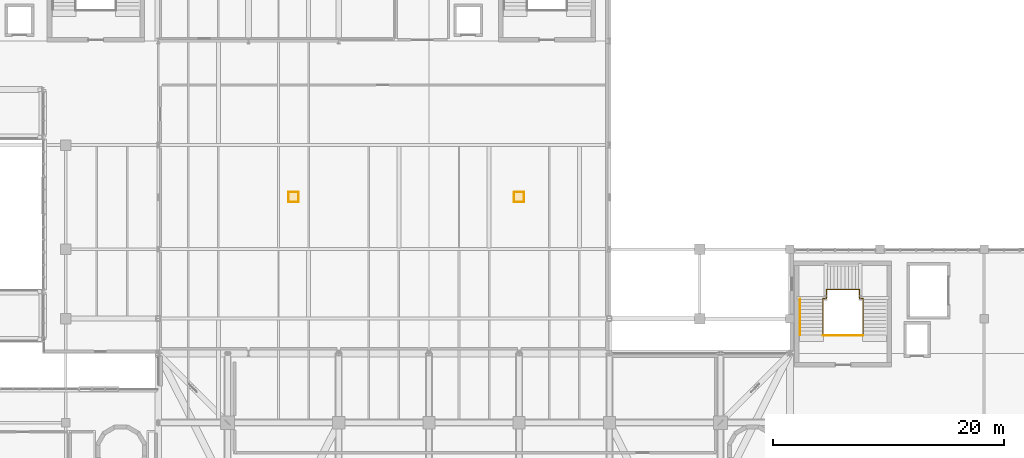
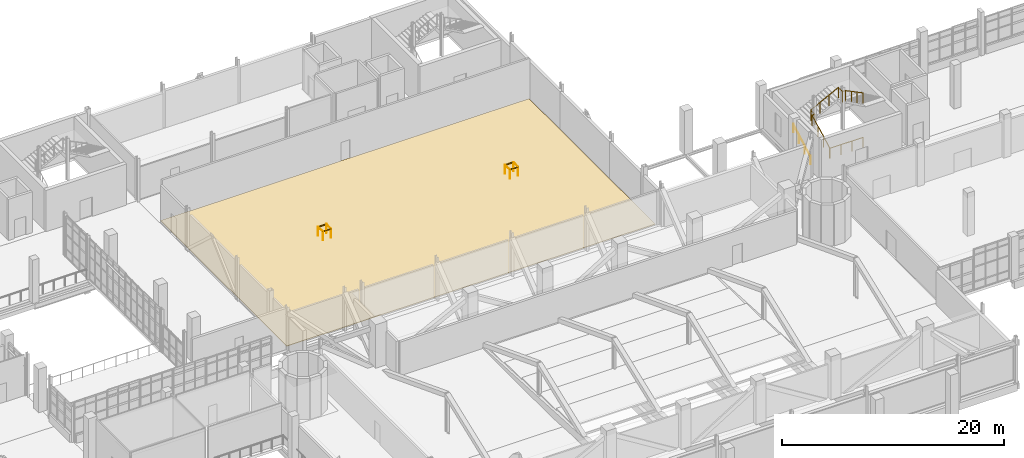
# One storey, part 125 of 127: 11 railings, 1 covering.
"""IFC4 building model written with IfcOpenShell, lengths in metres."""

import ifcopenshell
import ifcopenshell.guid

model = None  # the IFC model being written
_history = None  # IfcOwnerHistory: only IFC2X3 demands one
_inside = {}  # id of a spatial element -> (the spatial element, [elements in it])
_under = {}  # id of a project, library or spatial element -> (it, [spatial elements below it])
_declared = {}  # id of a project -> (the project, [libraries it declares])
_typed = {}  # id of a type object -> (the type object, [elements of that type])
_made_of = {}  # id of a material, layer set ... -> (it, [elements and type objects made of it])


def new_model(schema):
    """Start an empty IFC model of exactly this schema.

    Asked for "IFC4X3", IfcOpenShell would pick the latest addendum, in which some entities
    have other attributes; the version numbers below select the first issue.
    IFC2X3 requires an IfcOwnerHistory on every rooted entity: one is made here for all.
    """
    global model, _history
    if schema == "IFC4X3":
        model = ifcopenshell.file(schema_version=(4, 3, 0, 0))
    else:
        model = ifcopenshell.file(schema=schema)
    _inside.clear()
    _under.clear()
    _declared.clear()
    _typed.clear()
    _made_of.clear()
    _history = None
    if model.schema == "IFC2X3":
        org = make("IfcOrganization", Name="unknown")
        user = make(
            "IfcPersonAndOrganization",
            ThePerson=make("IfcPerson", FamilyName="unknown"),
            TheOrganization=org,
        )
        app = make(
            "IfcApplication",
            ApplicationDeveloper=org,
            Version="unknown",
            ApplicationFullName="unknown",
            ApplicationIdentifier="unknown",
        )
        _history = make(
            "IfcOwnerHistory",
            OwningUser=user,
            OwningApplication=app,
            ChangeAction="ADDED",
            CreationDate=0,
        )
    return model


def make(cls, **values):
    """One entity of the class cls with the attributes given. An attribute that is None is left unset."""
    return model.create_entity(
        cls, **{name: value for name, value in values.items() if value is not None}
    )


def rooted(cls, **values):
    """An entity with a GlobalId (a new one), such as an element, a storey or a relation."""
    return make(cls, GlobalId=ifcopenshell.guid.new(), OwnerHistory=_history, **values)


def si_unit(unit_type, name, prefix=None):
    """IfcSIUnit, for example si_unit("LENGTHUNIT", "METRE", prefix="MILLI")."""
    return make("IfcSIUnit", UnitType=unit_type, Prefix=prefix, Name=name)


def derived_unit(unit_type, elements):
    """IfcDerivedUnit: a product of units, each with its exponent."""
    return make(
        "IfcDerivedUnit",
        Elements=[
            make("IfcDerivedUnitElement", Unit=unit, Exponent=power)
            for unit, power in elements
        ],
        UnitType=unit_type,
    )


def assignment(units):
    """IfcUnitAssignment: the units of a project."""
    return None if units is None else make("IfcUnitAssignment", Units=units)


def point(xyz):
    """IfcCartesianPoint."""
    return None if xyz is None else make("IfcCartesianPoint", Coordinates=xyz)


def direction(xyz):
    """IfcDirection."""
    return None if xyz is None else make("IfcDirection", DirectionRatios=xyz)


def frame(location, z_axis=None, x_axis=None):
    """IfcAxis2Placement3D, a coordinate frame: its origin and axes. An axis left out is left unset."""
    return make(
        "IfcAxis2Placement3D",
        Location=point(location),
        Axis=direction(z_axis),
        RefDirection=direction(x_axis),
    )


def frame_2d(location, x_axis=None):
    """IfcAxis2Placement2D, a coordinate frame in the plane: its origin and x axis."""
    return make(
        "IfcAxis2Placement2D", Location=point(location), RefDirection=direction(x_axis)
    )


def origin():
    """The frame at (0, 0, 0) with its axes left unset."""
    return frame((0.0, 0.0, 0.0))


def origin_2d():
    """The frame at (0, 0) in the plane with its x axis left unset."""
    return frame_2d((0.0, 0.0))


def place(relative_to, where):
    """IfcLocalPlacement: puts the frame where relative to a parent placement (None: the world)."""
    return make(
        "IfcLocalPlacement", PlacementRelTo=relative_to, RelativePlacement=where
    )


def context(
    kind, dimensions, precision=None, world=None, true_north=None, identifier=None
):
    """IfcGeometricRepresentationContext, for example the 3D "Model" context."""
    return make(
        "IfcGeometricRepresentationContext",
        ContextIdentifier=identifier,
        ContextType=kind,
        CoordinateSpaceDimension=dimensions,
        Precision=precision,
        WorldCoordinateSystem=world,
        TrueNorth=true_north,
    )


def subcontext(parent, identifier, kind, view, scale=None):
    """IfcGeometricRepresentationSubContext, for example "Body" below "Model"."""
    return make(
        "IfcGeometricRepresentationSubContext",
        ContextIdentifier=identifier,
        ContextType=kind,
        ParentContext=parent,
        TargetScale=scale,
        TargetView=view,
    )


def project(units=None, contexts=None):
    """IfcProject with its units and contexts."""
    return rooted(
        "IfcProject",
        Name="project",
        RepresentationContexts=contexts,
        UnitsInContext=assignment(units),
    )


def spatial(cls, under=None, at=None, **own):
    """A site, building, storey or space (cls), placed at a placement, below another one or the project."""
    s = rooted(cls, ObjectPlacement=at, **own)
    if under is not None:
        _under.setdefault(under.id(), (under, []))[1].append(s)
    return s


def polyline(points):
    """IfcPolyline through the points."""
    return make("IfcPolyline", Points=[point(p) for p in points])


def profile(cls, at=None, kind="AREA", **sizes):
    """A parametric profile (cls). Its sizes go by their IFC names, for example OverallWidth=200.0."""
    return make(cls, ProfileType=kind, Position=at, **sizes)


def circle(**sizes):
    """IfcCircleProfileDef."""
    return profile("IfcCircleProfileDef", **sizes)


def outline(outer, holes=None, kind="AREA"):
    """IfcArbitraryClosedProfileDef: a profile drawn as a closed curve; with holes, ...WithVoids."""
    if holes is None:
        return make("IfcArbitraryClosedProfileDef", ProfileType=kind, OuterCurve=outer)
    return make(
        "IfcArbitraryProfileDefWithVoids",
        ProfileType=kind,
        OuterCurve=outer,
        InnerCurves=holes,
    )


def extrude(swept, where, along, depth):
    """IfcExtrudedAreaSolid: the profile swept, set in the frame where, extruded along a direction by depth."""
    return make(
        "IfcExtrudedAreaSolid",
        SweptArea=swept,
        Position=where,
        ExtrudedDirection=direction(along),
        Depth=depth,
    )


def shape(context_of_items, identifier, shape_type, items):
    """IfcShapeRepresentation: the items that make up one representation, for example the "Body"."""
    return make(
        "IfcShapeRepresentation",
        ContextOfItems=context_of_items,
        RepresentationIdentifier=identifier,
        RepresentationType=shape_type,
        Items=items,
    )


def material(Name=None, Category=None):
    """IfcMaterial."""
    return make("IfcMaterial", Name=Name, Category=Category)


def layer(
    of_material, thickness, ventilated=None, Name=None, Category=None, Priority=None
):
    """IfcMaterialLayer: one layer of a wall or slab, of a material (None: an air gap)."""
    return make(
        "IfcMaterialLayer",
        Material=of_material,
        LayerThickness=thickness,
        IsVentilated=ventilated,
        Name=Name,
        Category=Category,
        Priority=Priority,
    )


def layer_set(layers, Name=None):
    """IfcMaterialLayerSet."""
    return make("IfcMaterialLayerSet", MaterialLayers=layers, LayerSetName=Name)


def made_of(thing, what):
    """Note that an element or type object is made of a material, layer set ...; save() writes the relation."""
    if what is not None:
        _made_of.setdefault(what.id(), (what, []))[1].append(thing)
    return thing


def type_object(cls, material=None, **own):
    """A type object (cls), such as IfcWallType, which elements share."""
    return made_of(rooted(cls, **own), material)


def element(
    cls,
    number,
    at=None,
    inside=None,
    cuts=None,
    type_object=None,
    material=None,
    context=None,
    identifier="Body",
    shape_type=None,
    held_by="IfcProductDefinitionShape",
    body=None,
    shapes=None,
    **own,
):
    """One element of the class cls, such as IfcWall. Its Tag is "e" and its number.

    at: its placement. inside: the storey or other place that contains it. cuts: it is an
    opening in that element (IfcRelVoidsElement). A single representation is given by context,
    identifier, shape_type and body (its items); several are given by shapes. held_by: the class
    of the entity that holds the representations. save() writes the other relations.
    """
    e = rooted(cls, Tag="e%d" % number, ObjectPlacement=at, **own)
    if body is not None:
        shapes = [shape(context, identifier, shape_type, body)]
    if shapes is not None:
        e.Representation = make(held_by, Representations=shapes)
    if inside is not None:
        _inside.setdefault(inside.id(), (inside, []))[1].append(e)
    if cuts is not None:
        rooted(
            "IfcRelVoidsElement", RelatingBuildingElement=cuts, RelatedOpeningElement=e
        )
    if type_object is not None:
        _typed.setdefault(type_object.id(), (type_object, []))[1].append(e)
    return made_of(e, material)


def aggregate(whole, parts):
    """IfcRelAggregates: a whole, such as a stair, and the parts it consists of."""
    return rooted("IfcRelAggregates", RelatingObject=whole, RelatedObjects=parts)


def save(model, path):
    """Write the relations noted so far, then the file.

    IfcRelAggregates (storeys below a building ...), IfcRelContainedInSpatialStructure (elements
    in a storey), IfcRelDefinesByType, IfcRelAssociatesMaterial and IfcRelDeclares: one each for
    every whole, place, type object, material and project.
    """
    for whole, parts in _under.values():
        aggregate(whole, parts)
    for where, things in _inside.values():
        rooted(
            "IfcRelContainedInSpatialStructure",
            RelatedElements=things,
            RelatingStructure=where,
        )
    for kind, things in _typed.values():
        rooted("IfcRelDefinesByType", RelatedObjects=things, RelatingType=kind)
    for what, things in _made_of.values():
        rooted("IfcRelAssociatesMaterial", RelatedObjects=things, RelatingMaterial=what)
    for by, libraries in _declared.values():
        rooted("IfcRelDeclares", RelatingContext=by, RelatedDefinitions=libraries)
    model.write(path)


model = new_model("IFC4")

# Units and contexts
model_context = context("Model", 3, precision=1e-05, world=origin(), true_north=direction((0.0, 1.0)))
body_context = subcontext(model_context, "Body", "Model", "MODEL_VIEW")
ifc_project = project(units=[si_unit("LENGTHUNIT", "METRE"), si_unit("AREAUNIT", "SQUARE_METRE"), si_unit("VOLUMEUNIT", "CUBIC_METRE"), si_unit("PLANEANGLEUNIT", "RADIAN"), si_unit("MASSUNIT", "GRAM", prefix="KILO"), derived_unit("THERMALTRANSMITTANCEUNIT", [(si_unit("POWERUNIT", "WATT"), 1), (si_unit("LENGTHUNIT", "METRE"), -2), (si_unit("THERMODYNAMICTEMPERATUREUNIT", "KELVIN"), -1)])], contexts=[model_context])

# Site, building, storey
site_placement = place(None, origin())
site = spatial("IfcSite", under=ifc_project, at=site_placement, CompositionType="ELEMENT")
building_placement = place(site_placement, origin())
building = spatial("IfcBuilding", under=site, at=building_placement, Name="Nallur Shell Playhouse", CompositionType="ELEMENT")
storey_placement = place(building_placement, frame((0.0, 0.0, 5.39990234375)))
storey = spatial("IfcBuildingStorey", under=building, at=storey_placement, Name="L02", CompositionType="ELEMENT", Elevation=5.39990234375)

# Covering
ifc_material_1 = material(Name="Sprung Semi-Resilient Stage & Dance Hardwood Flooring", Category="wood")
ifc_layer = layer(ifc_material_1, 0.054931640625)
ifc_layer_set = layer_set([ifc_layer], Name="Sprung Semi-Resilient Stage & Dance Hardwood Flooring")
covering_type = type_object("IfcCoveringType", Name="CV-FLOR-TIMBER", PredefinedType="FLOORING", material=ifc_layer_set)
covering_placement = place(storey_placement, origin())
element("IfcCovering", 1, at=covering_placement, inside=storey, type_object=covering_type, Name="Stage Dimmer, Amplifier & Rack Room floor finish", PredefinedType="FLOORING", context=body_context, shape_type="SweptSolid", body=[
    extrude(outline(polyline([(102.60009765625, 70.199951171875), (102.60009765625, 47.39990234375), (64.199951171875, 47.39990234375), (64.199951171875, 70.199951171875), (102.60009765625, 70.199951171875)])), origin(), (0.0, 0.0, 1.0), 0.05517578125),
])

# Railings
ifc_material_2 = material(Name="Brushed Stainless Steel 316 Balustrade & Toughened Infill", Category="steel")
railing_type_1 = type_object("IfcRailingType", Name="RL-GUARD-1100", PredefinedType="BALUSTRADE", material=ifc_material_2)
railing_1_placement = place(storey_placement, frame((121.4599609375, 48.60009765625, 0.0)))
element("IfcRailing", 2, at=railing_1_placement, inside=storey, type_object=railing_type_1, Name="Stair ST-02-L02 inner open-well guard", PredefinedType="BALUSTRADE", context=body_context, shape_type="SweptSolid", body=[
    extrude(circle(Radius=0.02392578125, at=origin_2d()), frame((0.0, 0.0, 1.15576171875), z_axis=(0.0, 0.885200240898, 0.465210203579), x_axis=(-1.0, 0.0, 0.0)), (0.0, 0.0, 1.0), 3.547119140625),
    extrude(circle(Radius=0.02392578125, at=origin_2d()), frame((0.0, 3.139892578125, 2.80615234375), z_axis=(1.0, 0.0, 0.0), x_axis=(0.0, 1.0, 0.0)), (0.0, 0.0, 1.0), 0.304931640625),
    extrude(circle(Radius=0.02392578125, at=origin_2d()), frame((0.304931640625, 3.139892578125, 2.80615234375), z_axis=(0.0, 1.0, 0.0), x_axis=(-1.0, 0.0, 0.0)), (0.0, 0.0, 1.0), 0.760009765625),
    extrude(circle(Radius=0.02392578125, at=origin_2d()), frame((0.304931640625, 3.89990234375, 2.80615234375), z_axis=(0.886262018935, 0.0, 0.463184233101), x_axis=(0.0, 1.0, 0.0)), (0.0, 0.0, 1.0), 3.238525390625),
    extrude(circle(Radius=0.02392578125, at=origin_2d()), frame((3.175048828125, 3.89990234375, 4.30615234375), z_axis=(0.0, -1.0, 0.0), x_axis=(1.0, 0.0, 0.0)), (0.0, 0.0, 1.0), 0.760009765625),
    extrude(circle(Radius=0.02392578125, at=origin_2d()), frame((3.175048828125, 3.139892578125, 4.30615234375), z_axis=(1.0, 0.0, 0.0), x_axis=(0.0, 1.0, 0.0)), (0.0, 0.0, 1.0), 0.304931640625),
    extrude(circle(Radius=0.02392578125, at=origin_2d()), frame((3.47998046875, 3.139892578125, 4.30615234375), z_axis=(0.0, -0.885228583928, 0.465156268578), x_axis=(1.0, 0.0, 0.0)), (0.0, 0.0, 1.0), 3.546875),
    extrude(circle(Radius=0.02099609375, at=origin_2d()), origin(), (0.0, 0.0, 1.0), 1.1318359375),
    extrude(circle(Radius=0.02099609375, at=origin_2d()), frame((0.0, 1.046630859375, 0.550048828125)), (0.0, 0.0, 1.0), 1.1318359375),
    extrude(circle(Radius=0.02099609375, at=origin_2d()), frame((0.0, 2.09326171875, 1.10009765625)), (0.0, 0.0, 1.0), 1.1318359375),
    extrude(circle(Radius=0.02099609375, at=origin_2d()), frame((0.0, 3.139892578125, 1.650146484375)), (0.0, 0.0, 1.0), 1.1318359375),
    extrude(circle(Radius=0.02099609375, at=origin_2d()), frame((0.304931640625, 3.139892578125, 1.650146484375)), (0.0, 0.0, 1.0), 1.1318359375),
    extrude(circle(Radius=0.02099609375, at=origin_2d()), frame((0.304931640625, 3.89990234375, 1.650146484375)), (0.0, 0.0, 1.0), 1.1318359375),
    extrude(circle(Radius=0.02099609375, at=origin_2d()), frame((1.26171875, 3.89990234375, 2.150146484375)), (0.0, 0.0, 1.0), 1.1318359375),
    extrude(circle(Radius=0.02099609375, at=origin_2d()), frame((2.21826171875, 3.89990234375, 2.650146484375)), (0.0, 0.0, 1.0), 1.1318359375),
    extrude(circle(Radius=0.02099609375, at=origin_2d()), frame((3.175048828125, 3.89990234375, 3.150146484375)), (0.0, 0.0, 1.0), 1.1318359375),
    extrude(circle(Radius=0.02099609375, at=origin_2d()), frame((3.175048828125, 3.139892578125, 3.150146484375)), (0.0, 0.0, 1.0), 1.1318359375),
    extrude(circle(Radius=0.02099609375, at=origin_2d()), frame((3.47998046875, 3.139892578125, 3.150146484375)), (0.0, 0.0, 1.0), 1.1318359375),
    extrude(circle(Radius=0.02099609375, at=origin_2d()), frame((3.47998046875, 2.09326171875, 3.7001953125)), (0.0, 0.0, 1.0), 1.1318359375),
    extrude(circle(Radius=0.02099609375, at=origin_2d()), frame((3.47998046875, 1.046630859375, 4.25)), (0.0, 0.0, 1.0), 1.1318359375),
    extrude(circle(Radius=0.02099609375, at=origin_2d()), frame((3.47998046875, 0.0, 4.800048828125)), (0.0, 0.0, 1.0), 1.1318359375),
])
railing_2_placement = place(storey_placement, frame((121.4599609375, 48.5400390625, 0.0)))
element("IfcRailing", 3, at=railing_2_placement, inside=storey, type_object=railing_type_1, Name="Stair ST-02-L02 floor-well guard", PredefinedType="BALUSTRADE", context=body_context, shape_type="SweptSolid", body=[
    extrude(circle(Radius=0.02392578125, at=origin_2d()), frame((0.0, 0.0, 1.09619140625), z_axis=(1.0, 0.0, 0.0), x_axis=(0.0, 1.0, 0.0)), (0.0, 0.0, 1.0), 3.47998046875),
    extrude(circle(Radius=0.02099609375, at=origin_2d()), origin(), (0.0, 0.0, 1.0), 1.072021484375),
    extrude(circle(Radius=0.02099609375, at=origin_2d()), frame((1.159912109375, 0.0, 0.0)), (0.0, 0.0, 1.0), 1.072021484375),
    extrude(circle(Radius=0.02099609375, at=origin_2d()), frame((2.320068359375, 0.0, 0.0)), (0.0, 0.0, 1.0), 1.072021484375),
    extrude(circle(Radius=0.02099609375, at=origin_2d()), frame((3.47998046875, 0.0, 0.0)), (0.0, 0.0, 1.0), 1.072021484375),
])
railing_3_placement = place(storey_placement, frame((75.27001953125, 60.070068359375, 0.0)))
element("IfcRailing", 4, at=railing_3_placement, inside=storey, type_object=railing_type_1, Name="L02 service riser edge guard 075", PredefinedType="BALUSTRADE", context=body_context, shape_type="SweptSolid", body=[
    extrude(circle(Radius=0.02392578125, at=origin_2d()), frame((0.0, 0.0, 1.09619140625), z_axis=(1.0, 0.0, 0.0), x_axis=(0.0, 1.0, 0.0)), (0.0, 0.0, 1.0), 0.85986328125),
    extrude(circle(Radius=0.02099609375, at=origin_2d()), origin(), (0.0, 0.0, 1.0), 1.072021484375),
    extrude(circle(Radius=0.02099609375, at=origin_2d()), frame((0.85986328125, 0.0, 0.0)), (0.0, 0.0, 1.0), 1.072021484375),
])
railing_4_placement = place(storey_placement, frame((76.1298828125, 60.070068359375, 0.0)))
element("IfcRailing", 5, at=railing_4_placement, inside=storey, type_object=railing_type_1, Name="L02 service riser edge guard 076", PredefinedType="BALUSTRADE", context=body_context, shape_type="SweptSolid", body=[
    extrude(circle(Radius=0.02392578125, at=origin_2d()), frame((0.0, 0.0, 1.09619140625), z_axis=(0.0, 1.0, 0.0), x_axis=(-1.0, 0.0, 0.0)), (0.0, 0.0, 1.0), 0.85986328125),
    extrude(circle(Radius=0.02099609375, at=origin_2d()), origin(), (0.0, 0.0, 1.0), 1.072021484375),
    extrude(circle(Radius=0.02099609375, at=origin_2d()), frame((0.0, 0.85986328125, 0.0)), (0.0, 0.0, 1.0), 1.072021484375),
])
railing_5_placement = place(storey_placement, frame((76.1298828125, 60.929931640625, 0.0)))
element("IfcRailing", 6, at=railing_5_placement, inside=storey, type_object=railing_type_1, Name="L02 service riser edge guard 077", PredefinedType="BALUSTRADE", context=body_context, shape_type="SweptSolid", body=[
    extrude(circle(Radius=0.02392578125, at=origin_2d()), frame((0.0, 0.0, 1.09619140625), z_axis=(-1.0, 0.0, 0.0), x_axis=(0.0, -1.0, 0.0)), (0.0, 0.0, 1.0), 0.85986328125),
    extrude(circle(Radius=0.02099609375, at=origin_2d()), origin(), (0.0, 0.0, 1.0), 1.072021484375),
    extrude(circle(Radius=0.02099609375, at=origin_2d()), frame((-0.85986328125, 0.0, 0.0)), (0.0, 0.0, 1.0), 1.072021484375),
])
railing_6_placement = place(storey_placement, frame((75.27001953125, 60.929931640625, 0.0)))
element("IfcRailing", 7, at=railing_6_placement, inside=storey, type_object=railing_type_1, Name="L02 service riser edge guard 078", PredefinedType="BALUSTRADE", context=body_context, shape_type="SweptSolid", body=[
    extrude(circle(Radius=0.02392578125, at=origin_2d()), frame((0.0, 0.0, 1.09619140625), z_axis=(0.0, -1.0, 0.0), x_axis=(1.0, 0.0, 0.0)), (0.0, 0.0, 1.0), 0.85986328125),
    extrude(circle(Radius=0.02099609375, at=origin_2d()), origin(), (0.0, 0.0, 1.0), 1.072021484375),
    extrude(circle(Radius=0.02099609375, at=origin_2d()), frame((0.0, -0.85986328125, 0.0)), (0.0, 0.0, 1.0), 1.072021484375),
])
railing_7_placement = place(storey_placement, frame((94.77001953125, 60.070068359375, 0.0)))
element("IfcRailing", 8, at=railing_7_placement, inside=storey, type_object=railing_type_1, Name="L02 service riser edge guard 079", PredefinedType="BALUSTRADE", context=body_context, shape_type="SweptSolid", body=[
    extrude(circle(Radius=0.02392578125, at=origin_2d()), frame((0.0, 0.0, 1.09619140625), z_axis=(1.0, 0.0, 0.0), x_axis=(0.0, 1.0, 0.0)), (0.0, 0.0, 1.0), 0.85986328125),
    extrude(circle(Radius=0.02099609375, at=origin_2d()), origin(), (0.0, 0.0, 1.0), 1.072021484375),
    extrude(circle(Radius=0.02099609375, at=origin_2d()), frame((0.85986328125, 0.0, 0.0)), (0.0, 0.0, 1.0), 1.072021484375),
])
railing_8_placement = place(storey_placement, frame((95.6298828125, 60.070068359375, 0.0)))
element("IfcRailing", 9, at=railing_8_placement, inside=storey, type_object=railing_type_1, Name="L02 service riser edge guard 080", PredefinedType="BALUSTRADE", context=body_context, shape_type="SweptSolid", body=[
    extrude(circle(Radius=0.02392578125, at=origin_2d()), frame((0.0, 0.0, 1.09619140625), z_axis=(0.0, 1.0, 0.0), x_axis=(-1.0, 0.0, 0.0)), (0.0, 0.0, 1.0), 0.85986328125),
    extrude(circle(Radius=0.02099609375, at=origin_2d()), origin(), (0.0, 0.0, 1.0), 1.072021484375),
    extrude(circle(Radius=0.02099609375, at=origin_2d()), frame((0.0, 0.85986328125, 0.0)), (0.0, 0.0, 1.0), 1.072021484375),
])
railing_9_placement = place(storey_placement, frame((95.6298828125, 60.929931640625, 0.0)))
element("IfcRailing", 10, at=railing_9_placement, inside=storey, type_object=railing_type_1, Name="L02 service riser edge guard 081", PredefinedType="BALUSTRADE", context=body_context, shape_type="SweptSolid", body=[
    extrude(circle(Radius=0.02392578125, at=origin_2d()), frame((0.0, 0.0, 1.09619140625), z_axis=(-1.0, 0.0, 0.0), x_axis=(0.0, -1.0, 0.0)), (0.0, 0.0, 1.0), 0.85986328125),
    extrude(circle(Radius=0.02099609375, at=origin_2d()), origin(), (0.0, 0.0, 1.0), 1.072021484375),
    extrude(circle(Radius=0.02099609375, at=origin_2d()), frame((-0.85986328125, 0.0, 0.0)), (0.0, 0.0, 1.0), 1.072021484375),
])
railing_10_placement = place(storey_placement, frame((94.77001953125, 60.929931640625, 0.0)))
element("IfcRailing", 11, at=railing_10_placement, inside=storey, type_object=railing_type_1, Name="L02 service riser edge guard 082", PredefinedType="BALUSTRADE", context=body_context, shape_type="SweptSolid", body=[
    extrude(circle(Radius=0.02392578125, at=origin_2d()), frame((0.0, 0.0, 1.09619140625), z_axis=(0.0, -1.0, 0.0), x_axis=(1.0, 0.0, 0.0)), (0.0, 0.0, 1.0), 0.85986328125),
    extrude(circle(Radius=0.02099609375, at=origin_2d()), origin(), (0.0, 0.0, 1.0), 1.072021484375),
    extrude(circle(Radius=0.02099609375, at=origin_2d()), frame((0.0, -0.85986328125, 0.0)), (0.0, 0.0, 1.0), 1.072021484375),
])
ifc_material_3 = material(Name="Stainless Steel 316 Continuous Tubular Handrail", Category="steel")
railing_type_2 = type_object("IfcRailingType", Name="RL-HANDRAIL-900", PredefinedType="HANDRAIL", material=ifc_material_3)
railing_11_placement = place(storey_placement, frame((119.47998046875, 48.60009765625, 0.0)))
element("IfcRailing", 12, at=railing_11_placement, inside=storey, type_object=railing_type_2, Name="Stair ST-02-L02 outer handrail F1", PredefinedType="HANDRAIL", context=body_context, shape_type="SweptSolid", body=[
    extrude(circle(Radius=0.02392578125, at=origin_2d()), frame((0.0, 0.0, 0.89599609375), z_axis=(0.0, 0.882720248289, 0.469898886208), x_axis=(-1.0, 0.0, 0.0)), (0.0, 0.0, 1.0), 3.51171875),
    extrude(circle(Radius=0.02099609375, at=origin_2d()), origin(), (0.0, 0.0, 1.0), 0.871826171875),
    extrude(circle(Radius=0.02099609375, at=origin_2d()), frame((0.0, 1.033203125, 0.550048828125)), (0.0, 0.0, 1.0), 0.871826171875),
    extrude(circle(Radius=0.02099609375, at=origin_2d()), frame((0.0, 2.066650390625, 1.10009765625)), (0.0, 0.0, 1.0), 0.871826171875),
    extrude(circle(Radius=0.02099609375, at=origin_2d()), frame((0.0, 3.099853515625, 1.650146484375)), (0.0, 0.0, 1.0), 0.871826171875),
])

save(model, "model.ifc")
